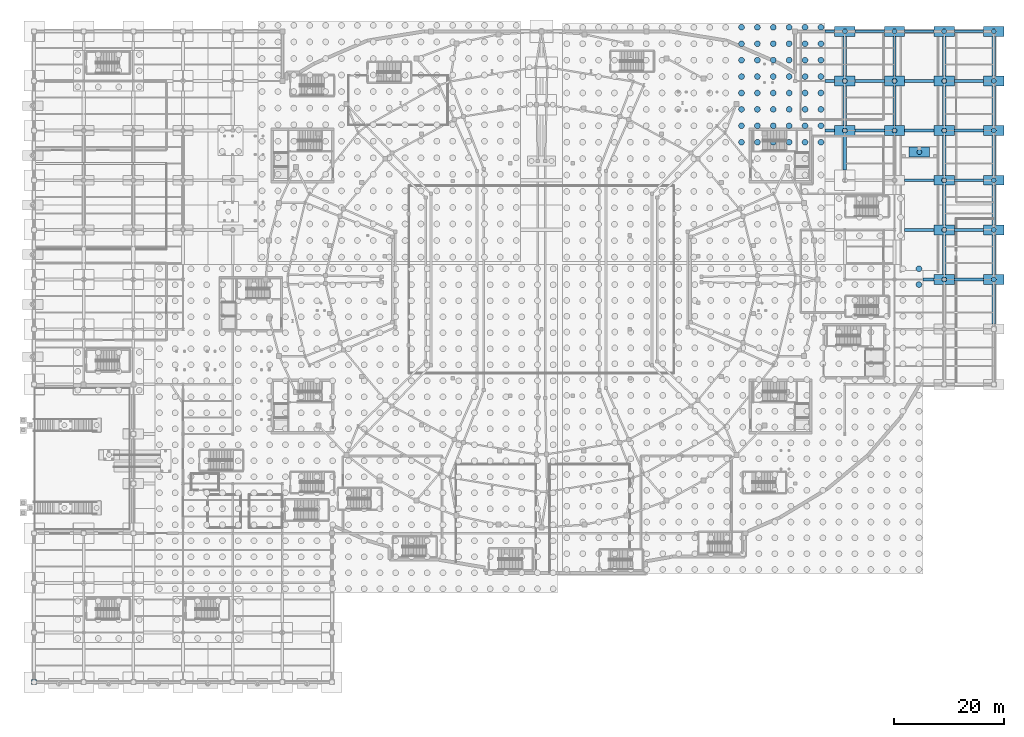
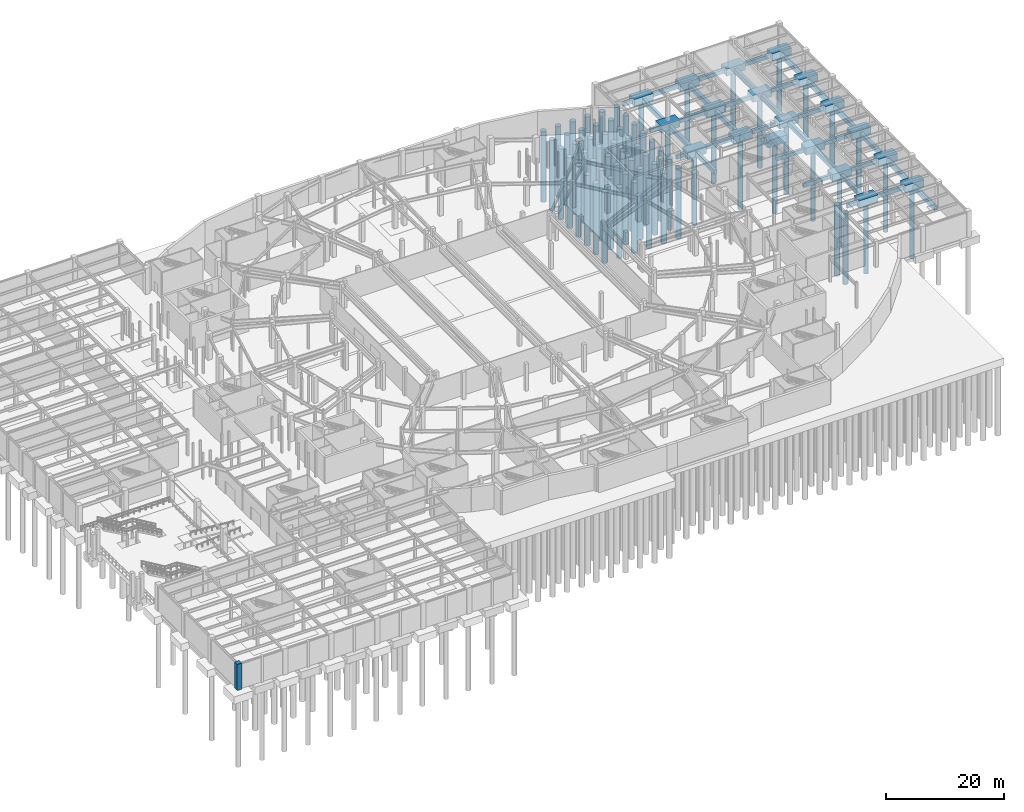
# One storey, part 9 of 56: 69 piles, 53 footings, 1 column.
"""IFC4 building model written with IfcOpenShell, lengths in metres."""

from ifc_helpers import new_model, si_unit, direction, frame, origin, origin_with_axes, origin_2d, place, context, subcontext, project, spatial, polyline, rectangle, circle, outline, extrude, material, material_profile, profile_set, type_object, element, save


model = new_model("IFC4")

# Units and contexts
model_context = context("Model", 3, precision=1e-05, world=origin(), true_north=direction((0.0, 1.0)))
body_context = subcontext(model_context, "Body", "Model", "MODEL_VIEW")
ifc_project = project(units=[si_unit("LENGTHUNIT", "METRE"), si_unit("AREAUNIT", "SQUARE_METRE"), si_unit("VOLUMEUNIT", "CUBIC_METRE"), si_unit("PLANEANGLEUNIT", "RADIAN"), si_unit("MASSUNIT", "GRAM", prefix="KILO")], contexts=[model_context])

# Site, building, storey
site_placement = place(None, origin())
site = spatial("IfcSite", under=ifc_project, at=site_placement, CompositionType="ELEMENT")
building_placement = place(site_placement, origin())
building = spatial("IfcBuilding", under=site, at=building_placement, Name="Glasvene Arena", CompositionType="ELEMENT")
storey_placement = place(building_placement, frame((0.0, 0.0, -5.39990234375)))
storey = spatial("IfcBuildingStorey", under=building, at=storey_placement, Name="B1", CompositionType="ELEMENT", Elevation=-5.39990234375)

# Footings
ifc_material = material(Name="Concrete C40/50", Category="concrete")
footing_type_1 = type_object("IfcFootingType", Name="FT-FB-500x800", PredefinedType="FOOTING_BEAM", material=ifc_material)
footing_1_placement = place(storey_placement, frame((162.175048828125, 73.0, -1.25)))
element("IfcFooting", 1, at=footing_1_placement, inside=storey, type_object=footing_type_1, Name="Ground tie beam 0104", PredefinedType="FOOTING_BEAM", context=body_context, shape_type="SweptSolid", body=[
    extrude(outline(polyline([(-0.97509765625, -0.25), (0.974853515625, -0.25), (0.974853515625, 0.25), (-0.97509765625, 0.25), (-0.97509765625, -0.25)])), origin(), (0.0, 0.0, 1.0), 0.7998046875),
])
for number, where, name in (
    (2, (169.5, 73.0, -1.25), "Ground tie beam 0105"),
    (3, (160.5, 82.0, -1.25), "Ground tie beam 0113"),
    (4, (169.5, 82.0, -1.25), "Ground tie beam 0114"),
    (5, (160.5, 91.0, -1.25), "Ground tie beam 0123"),
    (6, (169.5, 91.0, -1.25), "Ground tie beam 0124"),
):
    element("IfcFooting", number, at=place(storey_placement, frame(where)), inside=storey, type_object=footing_type_1, Name=name, PredefinedType="FOOTING_BEAM", context=body_context, shape_type="SweptSolid", body=[
        extrude(outline(polyline([(-2.64990234375, -0.25), (2.64990234375, -0.25), (2.64990234375, 0.25), (-2.64990234375, 0.25), (-2.64990234375, -0.25)])), origin(), (0.0, 0.0, 1.0), 0.7998046875),
    ])
footing_2_placement = place(storey_placement, frame((144.2919921875, 100.0, -1.25)))
element("IfcFooting", 7, at=footing_2_placement, inside=storey, type_object=footing_type_1, Name="Ground tie beam 0130", PredefinedType="FOOTING_BEAM", context=body_context, shape_type="SweptSolid", body=[
    extrude(outline(polyline([(-0.85791015625, -0.25), (0.85791015625, -0.25), (0.85791015625, 0.25), (-0.85791015625, 0.25), (-0.85791015625, -0.25)])), origin(), (0.0, 0.0, 1.0), 0.7998046875),
])
for number, where, name in (
    (8, (151.5, 100.0, -1.25), "Ground tie beam 0131"),
    (9, (160.5, 100.0, -1.25), "Ground tie beam 0132"),
    (10, (169.5, 100.0, -1.25), "Ground tie beam 0133"),
):
    element("IfcFooting", number, at=place(storey_placement, frame(where)), inside=storey, type_object=footing_type_1, Name=name, PredefinedType="FOOTING_BEAM", context=body_context, shape_type="SweptSolid", body=[
        extrude(outline(polyline([(-2.64990234375, -0.25), (2.64990234375, -0.25), (2.64990234375, 0.25), (-2.64990234375, 0.25), (-2.64990234375, -0.25)])), origin(), (0.0, 0.0, 1.0), 0.7998046875),
    ])
footing_3_placement = place(storey_placement, frame((144.2919921875, 109.0, -1.25)))
element("IfcFooting", 11, at=footing_3_placement, inside=storey, type_object=footing_type_1, Name="Ground tie beam 0138", PredefinedType="FOOTING_BEAM", context=body_context, shape_type="SweptSolid", body=[
    extrude(outline(polyline([(-0.85791015625, -0.25), (0.85791015625, -0.25), (0.85791015625, 0.25), (-0.85791015625, 0.25), (-0.85791015625, -0.25)])), origin(), (0.0, 0.0, 1.0), 0.7998046875),
])
for number, where, name in (
    (12, (151.5, 109.0, -1.25), "Ground tie beam 0139"),
    (13, (160.5, 109.0, -1.25), "Ground tie beam 0140"),
    (14, (169.5, 109.0, -1.25), "Ground tie beam 0141"),
):
    element("IfcFooting", number, at=place(storey_placement, frame(where)), inside=storey, type_object=footing_type_1, Name=name, PredefinedType="FOOTING_BEAM", context=body_context, shape_type="SweptSolid", body=[
        extrude(outline(polyline([(-2.64990234375, -0.25), (2.64990234375, -0.25), (2.64990234375, 0.25), (-2.64990234375, 0.25), (-2.64990234375, -0.25)])), origin(), (0.0, 0.0, 1.0), 0.7998046875),
    ])
footing_4_placement = place(storey_placement, frame((144.2919921875, 118.0, -1.25)))
element("IfcFooting", 15, at=footing_4_placement, inside=storey, type_object=footing_type_1, Name="Ground tie beam 0149", PredefinedType="FOOTING_BEAM", context=body_context, shape_type="SweptSolid", body=[
    extrude(outline(polyline([(-0.85791015625, -0.25), (0.85791015625, -0.25), (0.85791015625, 0.25), (-0.85791015625, 0.25), (-0.85791015625, -0.25)])), origin(), (0.0, 0.0, 1.0), 0.7998046875),
])
for number, where, name in (
    (16, (151.5, 118.0, -1.25), "Ground tie beam 0150"),
    (17, (160.5, 118.0, -1.25), "Ground tie beam 0151"),
    (18, (169.5, 118.0, -1.25), "Ground tie beam 0152"),
):
    element("IfcFooting", number, at=place(storey_placement, frame(where)), inside=storey, type_object=footing_type_1, Name=name, PredefinedType="FOOTING_BEAM", context=body_context, shape_type="SweptSolid", body=[
        extrude(outline(polyline([(-2.64990234375, -0.25), (2.64990234375, -0.25), (2.64990234375, 0.25), (-2.64990234375, 0.25), (-2.64990234375, -0.25)])), origin(), (0.0, 0.0, 1.0), 0.7998046875),
    ])
footing_type_2 = type_object("IfcFootingType", Name="FT-FB-600x900", PredefinedType="FOOTING_BEAM", material=ifc_material)
footing_5_placement = place(storey_placement, frame((147.0, 95.97509765625, -1.35009765625)))
element("IfcFooting", 19, at=footing_5_placement, inside=storey, type_object=footing_type_2, Name="Ground tie beam 0058", PredefinedType="FOOTING_BEAM", context=body_context, shape_type="SweptSolid", body=[
    extrude(outline(polyline([(-0.300048828125, -3.125), (0.300048828125, -3.125), (0.300048828125, 3.125), (-0.300048828125, 3.125), (-0.300048828125, -3.125)])), origin(), (0.0, 0.0, 1.0), 0.89990234375),
])
for number, where, name in (
    (20, (147.0, 104.5, -1.35009765625), "Ground tie beam 0059"),
    (21, (147.0, 113.5, -1.35009765625), "Ground tie beam 0060"),
    (22, (156.0, 104.5, -1.35009765625), "Ground tie beam 0064"),
    (23, (156.0, 113.5, -1.35009765625), "Ground tie beam 0065"),
    (24, (165.0, 77.5, -1.35009765625), "Ground tie beam 0068"),
    (25, (165.0, 86.5, -1.35009765625), "Ground tie beam 0069"),
    (26, (165.0, 95.5, -1.35009765625), "Ground tie beam 0070"),
    (27, (165.0, 104.5, -1.35009765625), "Ground tie beam 0071"),
    (28, (165.0, 113.5, -1.35009765625), "Ground tie beam 0072"),
    (29, (174.0, 68.5, -1.35009765625), "Ground tie beam 0074"),
    (30, (174.0, 77.5, -1.35009765625), "Ground tie beam 0075"),
    (31, (174.0, 86.5, -1.35009765625), "Ground tie beam 0076"),
    (32, (174.0, 95.5, -1.35009765625), "Ground tie beam 0077"),
    (33, (174.0, 104.5, -1.35009765625), "Ground tie beam 0078"),
    (34, (174.0, 113.5, -1.35009765625), "Ground tie beam 0079"),
):
    element("IfcFooting", number, at=place(storey_placement, frame(where)), inside=storey, type_object=footing_type_2, Name=name, PredefinedType="FOOTING_BEAM", context=body_context, shape_type="SweptSolid", body=[
        extrude(outline(polyline([(-0.300048828125, -3.60009765625), (0.300048828125, -3.60009765625), (0.300048828125, 3.60009765625), (-0.300048828125, 3.60009765625), (-0.300048828125, -3.60009765625)])), origin(), (0.0, 0.0, 1.0), 0.89990234375),
    ])
footing_type_3 = type_object("IfcFootingType", Name="FT-PC-370x180", PredefinedType="PILE_CAP", material=ifc_material)
for number, where, z_axis, x_axis, name in (
    (35, (165.0, 73.0, -1.5), (0.0, 0.0, 1.0), (1.0, 0.0, 0.0), "Pile cap 048"),
    (36, (174.0, 73.0, -1.5), (0.0, 0.0, 1.0), (1.0, 0.0, 0.0), "Pile cap 049"),
    (37, (165.0, 82.0, -1.5), (0.0, 0.0, 1.0), (1.0, 0.0, 0.0), "Pile cap 059"),
    (38, (174.0, 82.0, -1.5), (0.0, 0.0, 1.0), (1.0, 0.0, 0.0), "Pile cap 060"),
    (39, (165.0, 91.0, -1.5), (0.0, 0.0, 1.0), (1.0, 0.0, 0.0), "Pile cap 070"),
    (40, (174.0, 91.0, -1.5), (0.0, 0.0, 1.0), (1.0, 0.0, 0.0), "Pile cap 071"),
    (41, (160.5, 96.10009765625, -1.5), (0.0, 0.0, 1.0), (1.0, 0.0, 0.0), "Pile cap 074"),
    (42, (147.0, 100.0, -1.5), (0.0, 0.0, 1.0), (1.0, 0.0, 0.0), "Pile cap 080"),
    (43, (156.0, 100.0, -1.5), (0.0, 0.0, 1.0), (1.0, 0.0, 0.0), "Pile cap 081"),
    (44, (165.0, 100.0, -1.5), (0.0, 0.0, 1.0), (1.0, 0.0, 0.0), "Pile cap 082"),
    (45, (174.0, 100.0, -1.5), (0.0, 0.0, 1.0), (1.0, 0.0, 0.0), "Pile cap 083"),
    (46, (147.0, 109.0, -1.5), (0.0, 0.0, 1.0), (1.0, 0.0, 0.0), "Pile cap 090"),
    (47, (156.0, 109.0, -1.5), (0.0, 0.0, 1.0), (1.0, 0.0, 0.0), "Pile cap 091"),
    (48, (165.0, 109.0, -1.5), (0.0, 0.0, 1.0), (1.0, 0.0, 0.0), "Pile cap 092"),
    (49, (174.0, 109.0, -1.5), (0.0, 0.0, 1.0), (1.0, 0.0, 0.0), "Pile cap 093"),
    (50, (147.0, 118.0, -1.5), (0.0, 0.0, 1.0), (1.0, 0.0, 0.0), "Pile cap 101"),
    (51, (156.0, 118.0, -1.5), (0.0, 0.0, 1.0), (1.0, 0.0, 0.0), "Pile cap 102"),
    (52, (165.0, 118.0, -1.5), (0.0, 0.0, 1.0), (1.0, 0.0, 0.0), "Pile cap 103"),
    (53, (174.0, 118.0, -1.5), (0.0, 0.0, 1.0), (1.0, 0.0, 0.0), "Pile cap 104"),
):
    element("IfcFooting", number, at=place(storey_placement, frame(where, z_axis=z_axis, x_axis=x_axis)), inside=storey, type_object=footing_type_3, Name=name, PredefinedType="PILE_CAP", context=body_context, shape_type="SweptSolid", body=[
        extrude(rectangle(XDim=3.699951171875, YDim=1.800048828125, at=origin_2d()), origin(), (0.0, 0.0, 1.0), 1.5),
    ])

# Piles
ifc_material_profile_1 = material_profile(ifc_material, circle(Radius=0.52490234375, at=origin_2d()), Name="BORED PILE 1050")
ifc_profile_set_1 = profile_set([ifc_material_profile_1], Name="Concrete C40/50")
pile_type_1 = type_object("IfcPileType", Name="PL-BP1050", PredefinedType="BORED", material=ifc_profile_set_1)
for number, where, z_axis, x_axis, name in (
    (54, (160.425048828125, 72.079345703125, -1.35009765625), (0.0, 0.0, -1.0), (1.0, 0.0, 0.0), "Bored pile 1048"),
    (55, (160.425048828125, 74.948974609375, -1.35009765625), (0.0, 0.0, -1.0), (1.0, 0.0, 0.0), "Bored pile 1049"),
    (56, (128.26025390625, 97.89501953125, -1.35009765625), (0.0, 0.0, -1.0), (1.0, 0.0, 0.0), "Bored pile 1514"),
    (57, (128.26025390625, 100.8701171875, -1.35009765625), (0.0, 0.0, -1.0), (1.0, 0.0, 0.0), "Bored pile 1515"),
    (58, (128.26025390625, 103.84521484375, -1.35009765625), (0.0, 0.0, -1.0), (1.0, 0.0, 0.0), "Bored pile 1516"),
    (59, (128.26025390625, 106.8203125, -1.35009765625), (0.0, 0.0, -1.0), (1.0, 0.0, 0.0), "Bored pile 1517"),
    (60, (128.26025390625, 109.795654296875, -1.35009765625), (0.0, 0.0, -1.0), (1.0, 0.0, 0.0), "Bored pile 1518"),
    (61, (128.26025390625, 112.770751953125, -1.35009765625), (0.0, 0.0, -1.0), (1.0, 0.0, 0.0), "Bored pile 1519"),
    (62, (128.26025390625, 115.745849609375, -1.35009765625), (0.0, 0.0, -1.0), (1.0, 0.0, 0.0), "Bored pile 1520"),
    (63, (128.26025390625, 118.720947265625, -1.35009765625), (0.0, 0.0, -1.0), (1.0, 0.0, 0.0), "Bored pile 1521"),
    (64, (131.139892578125, 97.89501953125, -1.35009765625), (0.0, 0.0, -1.0), (1.0, 0.0, 0.0), "Bored pile 1529"),
    (65, (131.139892578125, 100.8701171875, -1.35009765625), (0.0, 0.0, -1.0), (1.0, 0.0, 0.0), "Bored pile 1530"),
    (66, (131.139892578125, 103.84521484375, -1.35009765625), (0.0, 0.0, -1.0), (1.0, 0.0, 0.0), "Bored pile 1531"),
    (67, (131.139892578125, 106.8203125, -1.35009765625), (0.0, 0.0, -1.0), (1.0, 0.0, 0.0), "Bored pile 1532"),
    (68, (131.139892578125, 109.795654296875, -1.35009765625), (0.0, 0.0, -1.0), (1.0, 0.0, 0.0), "Bored pile 1533"),
    (69, (131.139892578125, 112.770751953125, -1.35009765625), (0.0, 0.0, -1.0), (1.0, 0.0, 0.0), "Bored pile 1534"),
    (70, (131.139892578125, 115.745849609375, -1.35009765625), (0.0, 0.0, -1.0), (1.0, 0.0, 0.0), "Bored pile 1535"),
    (71, (131.139892578125, 118.720947265625, -1.35009765625), (0.0, 0.0, -1.0), (1.0, 0.0, 0.0), "Bored pile 1536"),
    (72, (134.019775390625, 97.89501953125, -1.35009765625), (0.0, 0.0, -1.0), (1.0, 0.0, 0.0), "Bored pile 1544"),
    (73, (134.019775390625, 100.8701171875, -1.35009765625), (0.0, 0.0, -1.0), (1.0, 0.0, 0.0), "Bored pile 1545"),
    (74, (134.019775390625, 103.84521484375, -1.35009765625), (0.0, 0.0, -1.0), (1.0, 0.0, 0.0), "Bored pile 1546"),
    (75, (134.019775390625, 106.8203125, -1.35009765625), (0.0, 0.0, -1.0), (1.0, 0.0, 0.0), "Bored pile 1547"),
    (76, (134.019775390625, 109.795654296875, -1.35009765625), (0.0, 0.0, -1.0), (1.0, 0.0, 0.0), "Bored pile 1548"),
    (77, (134.019775390625, 112.770751953125, -1.35009765625), (0.0, 0.0, -1.0), (1.0, 0.0, 0.0), "Bored pile 1549"),
    (78, (134.019775390625, 115.745849609375, -1.35009765625), (0.0, 0.0, -1.0), (1.0, 0.0, 0.0), "Bored pile 1550"),
    (79, (134.019775390625, 118.720947265625, -1.35009765625), (0.0, 0.0, -1.0), (1.0, 0.0, 0.0), "Bored pile 1551"),
    (80, (136.8994140625, 97.89501953125, -1.35009765625), (0.0, 0.0, -1.0), (1.0, 0.0, 0.0), "Bored pile 1559"),
    (81, (136.8994140625, 100.8701171875, -1.35009765625), (0.0, 0.0, -1.0), (1.0, 0.0, 0.0), "Bored pile 1560"),
    (82, (136.8994140625, 103.84521484375, -1.35009765625), (0.0, 0.0, -1.0), (1.0, 0.0, 0.0), "Bored pile 1561"),
    (83, (136.8994140625, 106.8203125, -1.35009765625), (0.0, 0.0, -1.0), (1.0, 0.0, 0.0), "Bored pile 1562"),
    (84, (136.8994140625, 109.795654296875, -1.35009765625), (0.0, 0.0, -1.0), (1.0, 0.0, 0.0), "Bored pile 1563"),
    (85, (136.8994140625, 112.770751953125, -1.35009765625), (0.0, 0.0, -1.0), (1.0, 0.0, 0.0), "Bored pile 1564"),
    (86, (136.8994140625, 115.745849609375, -1.35009765625), (0.0, 0.0, -1.0), (1.0, 0.0, 0.0), "Bored pile 1565"),
    (87, (136.8994140625, 118.720947265625, -1.35009765625), (0.0, 0.0, -1.0), (1.0, 0.0, 0.0), "Bored pile 1566"),
    (88, (139.779296875, 97.89501953125, -1.35009765625), (0.0, 0.0, -1.0), (1.0, 0.0, 0.0), "Bored pile 1574"),
    (89, (139.779296875, 100.8701171875, -1.35009765625), (0.0, 0.0, -1.0), (1.0, 0.0, 0.0), "Bored pile 1575"),
    (90, (139.779296875, 103.84521484375, -1.35009765625), (0.0, 0.0, -1.0), (1.0, 0.0, 0.0), "Bored pile 1576"),
    (91, (139.779296875, 106.8203125, -1.35009765625), (0.0, 0.0, -1.0), (1.0, 0.0, 0.0), "Bored pile 1577"),
    (92, (139.779296875, 109.795654296875, -1.35009765625), (0.0, 0.0, -1.0), (1.0, 0.0, 0.0), "Bored pile 1578"),
    (93, (139.779296875, 112.770751953125, -1.35009765625), (0.0, 0.0, -1.0), (1.0, 0.0, 0.0), "Bored pile 1579"),
    (94, (139.779296875, 115.745849609375, -1.35009765625), (0.0, 0.0, -1.0), (1.0, 0.0, 0.0), "Bored pile 1580"),
    (95, (139.779296875, 118.720947265625, -1.35009765625), (0.0, 0.0, -1.0), (1.0, 0.0, 0.0), "Bored pile 1581"),
    (96, (142.658935546875, 97.89501953125, -1.35009765625), (0.0, 0.0, -1.0), (1.0, 0.0, 0.0), "Bored pile 1589"),
    (97, (142.658935546875, 100.8701171875, -1.35009765625), (0.0, 0.0, -1.0), (1.0, 0.0, 0.0), "Bored pile 1590"),
    (98, (142.658935546875, 103.84521484375, -1.35009765625), (0.0, 0.0, -1.0), (1.0, 0.0, 0.0), "Bored pile 1591"),
    (99, (142.658935546875, 106.8203125, -1.35009765625), (0.0, 0.0, -1.0), (1.0, 0.0, 0.0), "Bored pile 1592"),
    (100, (142.658935546875, 109.795654296875, -1.35009765625), (0.0, 0.0, -1.0), (1.0, 0.0, 0.0), "Bored pile 1593"),
    (101, (142.658935546875, 112.770751953125, -1.35009765625), (0.0, 0.0, -1.0), (1.0, 0.0, 0.0), "Bored pile 1594"),
    (102, (142.658935546875, 115.745849609375, -1.35009765625), (0.0, 0.0, -1.0), (1.0, 0.0, 0.0), "Bored pile 1595"),
    (103, (142.658935546875, 118.720947265625, -1.35009765625), (0.0, 0.0, -1.0), (1.0, 0.0, 0.0), "Bored pile 1596"),
):
    element("IfcPile", number, at=place(storey_placement, frame(where, z_axis=z_axis, x_axis=x_axis)), inside=storey, type_object=pile_type_1, Name=name, PredefinedType="BORED", context=body_context, shape_type="SweptSolid", body=[
        extrude(circle(Radius=0.52490234375, at=origin_2d()), origin(), (0.0, 0.0, 1.0), 14.64990234375),
    ])
ifc_material_profile_2 = material_profile(ifc_material, circle(Radius=0.449951171875, at=origin_2d()), Name="BORED PILE 900")
ifc_profile_set_2 = profile_set([ifc_material_profile_2], Name="Concrete C40/50")
pile_type_2 = type_object("IfcPileType", Name="PL-BP900", PredefinedType="BORED", material=ifc_profile_set_2)
for number, where, z_axis, x_axis, name in (
    (104, (165.0, 73.0, -1.35009765625), (0.0, 0.0, -1.0), (1.0, 0.0, 0.0), "Bored pile 1085"),
    (105, (174.0, 73.0, -1.35009765625), (0.0, 0.0, -1.0), (1.0, 0.0, 0.0), "Bored pile 1086"),
    (106, (165.0, 82.0, -1.35009765625), (0.0, 0.0, -1.0), (1.0, 0.0, 0.0), "Bored pile 1615"),
    (107, (174.0, 82.0, -1.35009765625), (0.0, 0.0, -1.0), (1.0, 0.0, 0.0), "Bored pile 1616"),
    (108, (165.0, 91.0, -1.35009765625), (0.0, 0.0, -1.0), (1.0, 0.0, 0.0), "Bored pile 1626"),
    (109, (174.0, 91.0, -1.35009765625), (0.0, 0.0, -1.0), (1.0, 0.0, 0.0), "Bored pile 1627"),
    (110, (160.5, 96.10009765625, -1.35009765625), (0.0, 0.0, -1.0), (1.0, 0.0, 0.0), "Bored pile 1631"),
    (111, (147.0, 100.0, -1.35009765625), (0.0, 0.0, -1.0), (1.0, 0.0, 0.0), "Bored pile 1640"),
    (112, (156.0, 100.0, -1.35009765625), (0.0, 0.0, -1.0), (1.0, 0.0, 0.0), "Bored pile 1641"),
    (113, (165.0, 100.0, -1.35009765625), (0.0, 0.0, -1.0), (1.0, 0.0, 0.0), "Bored pile 1642"),
    (114, (174.0, 100.0, -1.35009765625), (0.0, 0.0, -1.0), (1.0, 0.0, 0.0), "Bored pile 1643"),
    (115, (147.0, 109.0, -1.35009765625), (0.0, 0.0, -1.0), (1.0, 0.0, 0.0), "Bored pile 1662"),
    (116, (156.0, 109.0, -1.35009765625), (0.0, 0.0, -1.0), (1.0, 0.0, 0.0), "Bored pile 1663"),
    (117, (165.0, 109.0, -1.35009765625), (0.0, 0.0, -1.0), (1.0, 0.0, 0.0), "Bored pile 1664"),
    (118, (174.0, 109.0, -1.35009765625), (0.0, 0.0, -1.0), (1.0, 0.0, 0.0), "Bored pile 1665"),
    (119, (147.0, 118.0, -1.35009765625), (0.0, 0.0, -1.0), (1.0, 0.0, 0.0), "Bored pile 1674"),
    (120, (156.0, 118.0, -1.35009765625), (0.0, 0.0, -1.0), (1.0, 0.0, 0.0), "Bored pile 1675"),
    (121, (165.0, 118.0, -1.35009765625), (0.0, 0.0, -1.0), (1.0, 0.0, 0.0), "Bored pile 1676"),
    (122, (174.0, 118.0, -1.35009765625), (0.0, 0.0, -1.0), (1.0, 0.0, 0.0), "Bored pile 1677"),
):
    element("IfcPile", number, at=place(storey_placement, frame(where, z_axis=z_axis, x_axis=x_axis)), inside=storey, type_object=pile_type_2, Name=name, PredefinedType="BORED", context=body_context, shape_type="SweptSolid", body=[
        extrude(circle(Radius=0.449951171875, at=origin_2d()), origin(), (0.0, 0.0, 1.0), 14.64990234375),
    ])

# Column
ifc_material_profile_3 = material_profile(ifc_material, rectangle(XDim=0.89990234375, YDim=0.89990234375, at=origin_2d()), Name="RC 900x900")
ifc_profile_set_3 = profile_set([ifc_material_profile_3], Name="Concrete C40/50")
column_type = type_object("IfcColumnType", Name="COL-BOWL-RC900", PredefinedType="COLUMN", material=ifc_profile_set_3)
column_placement = place(storey_placement, origin_with_axes())
element("IfcColumn", 123, at=column_placement, inside=storey, type_object=column_type, Name="Grid column 1-1 B1", PredefinedType="COLUMN", context=body_context, shape_type="SweptSolid", body=[
    extrude(rectangle(XDim=0.89990234375, YDim=0.89990234375, at=origin_2d()), origin(), (0.0, 0.0, 1.0), 5.39990234375),
])

save(model, "model.ifc")
